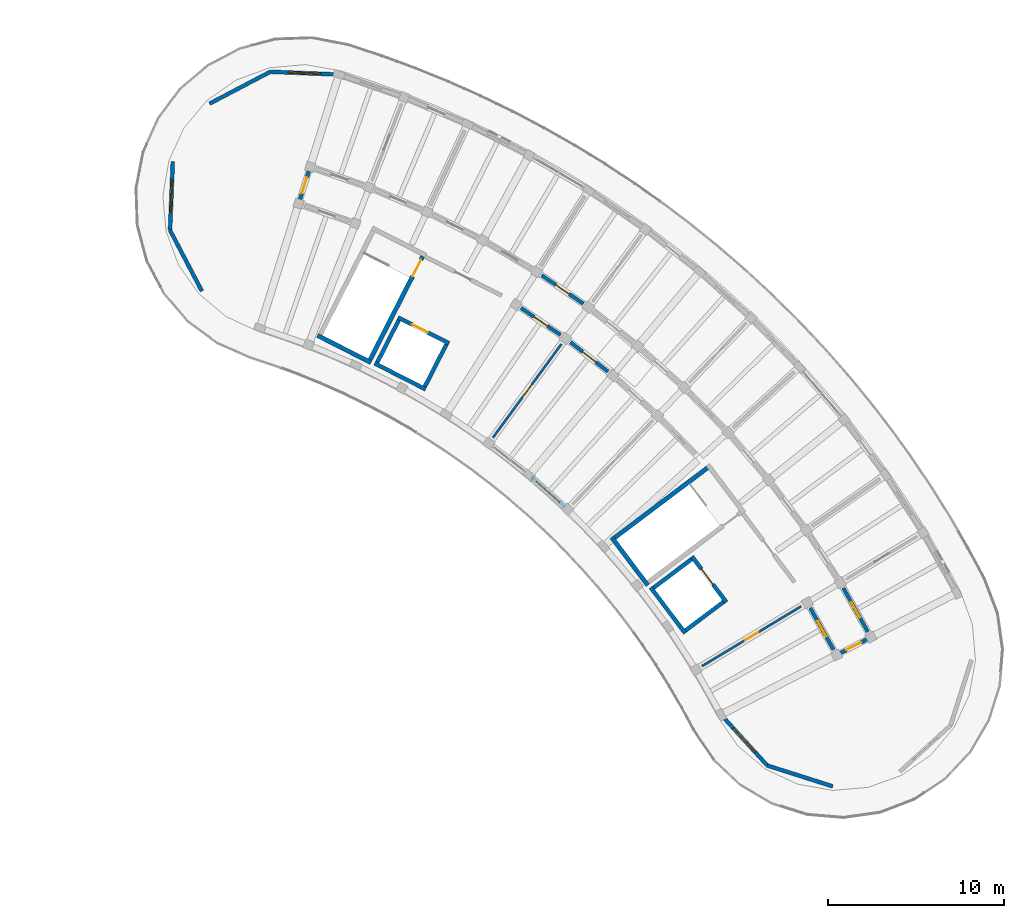
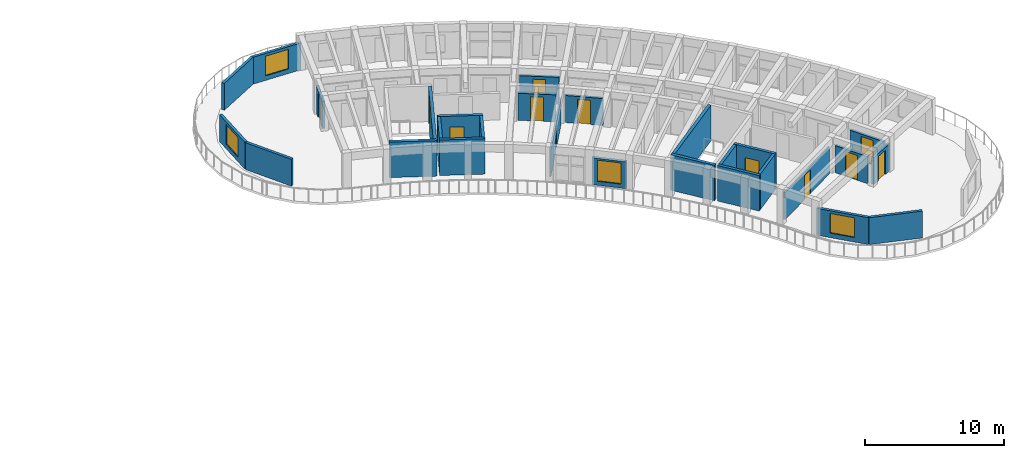
# One storey, part 22 of 32: 28 walls, 12 doors, 4 windows, 16 openings.
"""IFC4 building model written with IfcOpenShell, lengths in metres."""

from ifc_helpers import new_model, si_unit, direction, frame, frame_2d, origin, place, context, subcontext, project, spatial, rectangle, extrude, material, layer, layer_set, type_object, element, fill, save


model = new_model("IFC4")

# Units and contexts
model_context = context("Model", 3, precision=1e-05, world=origin(), true_north=direction((0.0, 1.0)))
body_context = subcontext(model_context, "Body", "Model", "MODEL_VIEW")
ifc_project = project(units=[si_unit("LENGTHUNIT", "METRE"), si_unit("AREAUNIT", "SQUARE_METRE"), si_unit("VOLUMEUNIT", "CUBIC_METRE"), si_unit("PLANEANGLEUNIT", "RADIAN"), si_unit("MASSUNIT", "GRAM", prefix="KILO")], contexts=[model_context])

# Site, building, storey
site_placement = place(None, origin())
site = spatial("IfcSite", under=ifc_project, at=site_placement, CompositionType="ELEMENT")
building_placement = place(site_placement, origin())
building = spatial("IfcBuilding", under=site, at=building_placement, Name="Tanwirah Colonnade Gardens", CompositionType="ELEMENT")
storey_placement = place(building_placement, frame((0.0, 0.0, 42.43994140625)))
storey = spatial("IfcBuildingStorey", under=building, at=storey_placement, Name="L12", CompositionType="ELEMENT", Elevation=42.43994140625)

# Wall, opening, window
ifc_material_1 = material(Name="Limestone architectural precast concrete C40/50", Category="masonry")
ifc_layer_1 = layer(ifc_material_1, 0.219970703125)
ifc_layer_set_1 = layer_set([ifc_layer_1], Name="Limestone architectural precast concrete C40/50")
wall_type_1 = type_object("IfcWallType", Name="EW-PC220", PredefinedType="SOLIDWALL", material=ifc_layer_set_1)
wall_1_placement = place(storey_placement, frame((151.58203125, 92.44775390625, 0.0), z_axis=(0.0, 0.0, 1.0), x_axis=(-0.744394463736, 0.667740130859, 0.0)))
wall_1 = element("IfcWall", 1, at=wall_1_placement, inside=storey, type_object=wall_type_1, Name="Block B L12 IN Precast Facade Wall 8", PredefinedType="SOLIDWALL", context=body_context, shape_type="SweptSolid", body=[
    extrude(rectangle(XDim=2.53515625, YDim=0.219970703125, at=frame_2d((1.267578125, 0.0))), origin(), (0.0, 0.0, 1.0), 2.35498046875),
])
opening_1_placement = place(wall_1_placement, frame((0.392578125, 0.0, 0.35009765625)))
opening_1 = element("IfcOpeningElement", 2, at=opening_1_placement, cuts=wall_1, Name="Opening WIN-T13", PredefinedType="OPENING", context=body_context, shape_type="SweptSolid", body=[
    extrude(rectangle(XDim=1.75, YDim=1.85009765625, at=frame_2d((0.875, 0.925048828125))), frame((0.0, 0.119873046875, 0.0), z_axis=(0.0, -1.0, 0.0), x_axis=(1.0, 0.0, 0.0)), (0.0, 0.0, 1.0), 0.239990234375),
])
ifc_material_2 = material(Name="Thermally broken bronze aluminium and solar low-E double glazing", Category="aluminium")
window_type_1 = type_object("IfcWindowType", Name="WIN-T13", PartitioningType="TRIPLE_PANEL_VERTICAL", PredefinedType="WINDOW", material=ifc_material_2)
window_1_placement = place(opening_1_placement, origin())
window_1 = element("IfcWindow", 3, at=window_1_placement, inside=storey, type_object=window_type_1, Name="Facade window B-L12-IN-08", OverallHeight=1.85009765625, OverallWidth=1.75, PartitioningType="SINGLE_PANEL", PredefinedType="WINDOW", context=body_context, shape_type="SweptSolid", body=[
    extrude(rectangle(XDim=1.75, YDim=1.85009765625, at=frame_2d((0.875, 0.925048828125))), frame((0.0, 0.030029296875, 0.0), z_axis=(0.0, -1.0, 0.0), x_axis=(1.0, 0.0, 0.0)), (0.0, 0.0, 1.0), 0.06005859375),
])
fill(opening_1, window_1)

# Wall
wall_2_placement = place(storey_placement, frame((166.843017578125, 76.534912109375, 0.0), z_axis=(0.0, 0.0, 1.0), x_axis=(-0.952839597628, 0.30347438309, 0.0)))
element("IfcWall", 4, at=wall_2_placement, inside=storey, type_object=wall_type_1, Name="Block B L12 START Rounded End Wall 4", PredefinedType="SOLIDWALL", context=body_context, shape_type="SweptSolid", body=[
    extrude(rectangle(XDim=3.908203125, YDim=0.219970703125, at=frame_2d((1.9541015625, 0.0))), origin(), (0.0, 0.0, 1.0), 2.35498046875),
])

# Wall, opening, window
wall_3_placement = place(storey_placement, frame((163.119140625, 77.720947265625, 0.0), z_axis=(0.0, 0.0, 1.0), x_axis=(-0.673483927886, 0.739201866123, 0.0)))
wall_3 = element("IfcWall", 5, at=wall_3_placement, inside=storey, type_object=wall_type_1, Name="Block B L12 START Rounded End Wall 5", PredefinedType="SOLIDWALL", context=body_context, shape_type="SweptSolid", body=[
    extrude(rectangle(XDim=3.908203125, YDim=0.219970703125, at=frame_2d((1.9541015625, 0.0))), origin(), (0.0, 0.0, 1.0), 2.35498046875),
])
opening_2_placement = place(wall_3_placement, frame((1.029052734375, 0.0, 0.39990234375)))
opening_2 = element("IfcOpeningElement", 6, at=opening_2_placement, cuts=wall_3, Name="Opening WIN-END1", PredefinedType="OPENING", context=body_context, shape_type="SweptSolid", body=[
    extrude(rectangle(XDim=1.85009765625, YDim=1.719970703125, at=frame_2d((0.925048828125, 0.85986328125))), frame((0.0, 0.119873046875, 0.0), z_axis=(0.0, -1.0, 0.0), x_axis=(1.0, 0.0, 0.0)), (0.0, 0.0, 1.0), 0.239990234375),
])
window_type_2 = type_object("IfcWindowType", Name="WIN-END1", PartitioningType="TRIPLE_PANEL_VERTICAL", PredefinedType="WINDOW", material=ifc_material_2)
window_2_placement = place(opening_2_placement, origin())
window_2 = element("IfcWindow", 7, at=window_2_placement, inside=storey, type_object=window_type_2, Name="Rounded corner window B-L12-START-5", OverallHeight=1.719970703125, OverallWidth=1.85009765625, PartitioningType="SINGLE_PANEL", PredefinedType="WINDOW", context=body_context, shape_type="SweptSolid", body=[
    extrude(rectangle(XDim=1.85009765625, YDim=1.719970703125, at=frame_2d((0.925048828125, 0.85986328125))), frame((0.0, 0.030029296875, 0.0), z_axis=(0.0, -1.0, 0.0), x_axis=(1.0, 0.0, 0.0)), (0.0, 0.0, 1.0), 0.06005859375),
])
fill(opening_2, window_2)

# Wall
wall_4_placement = place(storey_placement, frame((130.940673828125, 104.7216796875, 0.0), z_axis=(0.0, 0.0, 1.0), x_axis=(-0.464273080326, 0.885692106143, 0.0)))
element("IfcWall", 8, at=wall_4_placement, inside=storey, type_object=wall_type_1, Name="Block B L12 END Rounded End Wall 1", PredefinedType="SOLIDWALL", context=body_context, shape_type="SweptSolid", body=[
    extrude(rectangle(XDim=3.908203125, YDim=0.219970703125, at=frame_2d((1.9541015625, 0.0))), origin(), (0.0, 0.0, 1.0), 2.35498046875),
])

# Wall, opening, window
wall_5_placement = place(storey_placement, frame((129.126220703125, 108.18310546875, 0.0), z_axis=(0.0, 0.0, 1.0), x_axis=(0.040669088934, 0.999172670365, 0.0)))
wall_5 = element("IfcWall", 9, at=wall_5_placement, inside=storey, type_object=wall_type_1, Name="Block B L12 END Rounded End Wall 2", PredefinedType="SOLIDWALL", context=body_context, shape_type="SweptSolid", body=[
    extrude(rectangle(XDim=3.907958984375, YDim=0.219970703125, at=frame_2d((1.9541015625, 0.0))), origin(), (0.0, 0.0, 1.0), 2.35498046875),
])
opening_3_placement = place(wall_5_placement, frame((1.029052734375, 0.0, 0.39990234375)))
opening_3 = element("IfcOpeningElement", 10, at=opening_3_placement, cuts=wall_5, Name="Opening WIN-END1", PredefinedType="OPENING", context=body_context, shape_type="SweptSolid", body=[
    extrude(rectangle(XDim=1.85009765625, YDim=1.719970703125, at=frame_2d((0.925048828125, 0.85986328125))), frame((0.0, 0.119873046875, 0.0), z_axis=(0.0, -1.0, 0.0), x_axis=(1.0, 0.0, 0.0)), (0.0, 0.0, 1.0), 0.239990234375),
])
window_3_placement = place(opening_3_placement, origin())
window_3 = element("IfcWindow", 11, at=window_3_placement, inside=storey, type_object=window_type_2, Name="Rounded corner window B-L12-END-2", OverallHeight=1.719970703125, OverallWidth=1.85009765625, PartitioningType="SINGLE_PANEL", PredefinedType="WINDOW", context=body_context, shape_type="SweptSolid", body=[
    extrude(rectangle(XDim=1.85009765625, YDim=1.719970703125, at=frame_2d((0.925048828125, 0.85986328125))), frame((0.0, 0.030029296875, 0.0), z_axis=(0.0, -1.0, 0.0), x_axis=(1.0, 0.0, 0.0)), (0.0, 0.0, 1.0), 0.06005859375),
])
fill(opening_3, window_3)

# Wall
wall_6_placement = place(storey_placement, frame((131.37548828125, 115.39013671875, 0.0), z_axis=(0.0, 0.0, 1.0), x_axis=(0.8856664179, 0.464322082399, 0.0)))
element("IfcWall", 12, at=wall_6_placement, inside=storey, type_object=wall_type_1, Name="Block B L12 END Rounded End Wall 4", PredefinedType="SOLIDWALL", context=body_context, shape_type="SweptSolid", body=[
    extrude(rectangle(XDim=3.908203125, YDim=0.219970703125, at=frame_2d((1.9541015625, 0.0))), origin(), (0.0, 0.0, 1.0), 2.35498046875),
])

# Wall, opening, window
wall_7_placement = place(storey_placement, frame((134.8369140625, 117.204833984375, 0.0), z_axis=(0.0, 0.0, 1.0), x_axis=(0.99917012986, -0.040731457088, 0.0)))
wall_7 = element("IfcWall", 13, at=wall_7_placement, inside=storey, type_object=wall_type_1, Name="Block B L12 END Rounded End Wall 5", PredefinedType="SOLIDWALL", context=body_context, shape_type="SweptSolid", body=[
    extrude(rectangle(XDim=3.907958984375, YDim=0.219970703125, at=frame_2d((1.9541015625, 0.0))), origin(), (0.0, 0.0, 1.0), 2.35498046875),
])
opening_4_placement = place(wall_7_placement, frame((1.029052734375, 0.0, 0.39990234375)))
opening_4 = element("IfcOpeningElement", 14, at=opening_4_placement, cuts=wall_7, Name="Opening WIN-END1", PredefinedType="OPENING", context=body_context, shape_type="SweptSolid", body=[
    extrude(rectangle(XDim=1.85009765625, YDim=1.719970703125, at=frame_2d((0.925048828125, 0.85986328125))), frame((0.0, 0.119873046875, 0.0), z_axis=(0.0, -1.0, 0.0), x_axis=(1.0, 0.0, 0.0)), (0.0, 0.0, 1.0), 0.239990234375),
])
window_4_placement = place(opening_4_placement, origin())
window_4 = element("IfcWindow", 15, at=window_4_placement, inside=storey, type_object=window_type_2, Name="Rounded corner window B-L12-END-5", OverallHeight=1.719970703125, OverallWidth=1.85009765625, PartitioningType="SINGLE_PANEL", PredefinedType="WINDOW", context=body_context, shape_type="SweptSolid", body=[
    extrude(rectangle(XDim=1.85009765625, YDim=1.719970703125, at=frame_2d((0.925048828125, 0.85986328125))), frame((0.0, 0.030029296875, 0.0), z_axis=(0.0, -1.0, 0.0), x_axis=(1.0, 0.0, 0.0)), (0.0, 0.0, 1.0), 0.06005859375),
])
fill(opening_4, window_4)

# Wall, opening, door
ifc_material_3 = material(Name="Precast concrete C40/50", Category="concrete")
ifc_layer_2 = layer(ifc_material_3, 0.205078125)
ifc_layer_set_2 = layer_set([ifc_layer_2], Name="Precast concrete C40/50")
wall_type_2 = type_object("IfcWallType", Name="IW-CORR205", PredefinedType="PARTITIONING", material=ifc_layer_set_2)
wall_8_placement = place(storey_placement, frame((168.844482421875, 85.323486328125, 0.0), z_axis=(0.0, 0.0, 1.0), x_axis=(-0.48817487918, 0.872745832037, 0.0)))
wall_8 = element("IfcWall", 16, at=wall_8_placement, inside=storey, type_object=wall_type_2, Name="Block B L12 OUT Corridor Wall 3", PredefinedType="PARTITIONING", context=body_context, shape_type="SweptSolid", body=[
    extrude(rectangle(XDim=2.863037109375, YDim=0.205078125, at=frame_2d((1.431640625, 0.0))), origin(), (0.0, 0.0, 1.0), 2.3701171875),
])
opening_5_placement = place(wall_8_placement, frame((0.9365234375, 0.0, 0.0)))
opening_5 = element("IfcOpeningElement", 17, at=opening_5_placement, cuts=wall_8, Name="Opening L12-AD1252", PredefinedType="OPENING", context=body_context, shape_type="SweptSolid", body=[
    extrude(rectangle(XDim=0.989990234375, YDim=2.159912109375, at=frame_2d((0.4951171875, 1.080078125))), frame((0.0, 0.112548828125, 0.0), z_axis=(0.0, -1.0, 0.0), x_axis=(1.0, 0.0, 0.0)), (0.0, 0.0, 1.0), 0.22509765625),
])
ifc_material_4 = material(Name="Solid oak fire-resisting apartment entrance door")
door_type_1 = type_object("IfcDoorType", Name="ID-FLT099", OperationType="NOTDEFINED", PredefinedType="DOOR", material=ifc_material_4)
door_1_placement = place(opening_5_placement, origin())
door_1 = element("IfcDoor", 18, at=door_1_placement, inside=storey, type_object=door_type_1, Name="Apartment corridor door L12-AD1252", OperationType="SINGLE_SWING_RIGHT", OverallHeight=2.159912109375, OverallWidth=0.989990234375, PredefinedType="DOOR", context=body_context, shape_type="SweptSolid", body=[
    extrude(rectangle(XDim=0.989990234375, YDim=2.159912109375, at=frame_2d((0.4951171875, 1.080078125))), frame((0.0, 0.02490234375, 0.0), z_axis=(0.0, -1.0, 0.0), x_axis=(1.0, 0.0, 0.0)), (0.0, 0.0, 1.0), 0.050048828125),
])
fill(opening_5, door_1)

wall_9_placement = place(storey_placement, frame((166.89013671875, 84.313232421875, 0.0), z_axis=(0.0, 0.0, 1.0), x_axis=(-0.48819576874, 0.872734147025, 0.0)))
wall_9 = element("IfcWall", 19, at=wall_9_placement, inside=storey, type_object=wall_type_2, Name="Block B L12 IN Corridor Wall 3", PredefinedType="PARTITIONING", context=body_context, shape_type="SweptSolid", body=[
    extrude(rectangle(XDim=2.718017578125, YDim=0.205078125, at=frame_2d((1.35888671875, 0.0))), origin(), (0.0, 0.0, 1.0), 2.3701171875),
])
opening_6_placement = place(wall_9_placement, frame((0.864013671875, 0.0, 0.0)))
opening_6 = element("IfcOpeningElement", 20, at=opening_6_placement, cuts=wall_9, Name="Opening L12-AD1253", PredefinedType="OPENING", context=body_context, shape_type="SweptSolid", body=[
    extrude(rectangle(XDim=0.989990234375, YDim=2.159912109375, at=frame_2d((0.4951171875, 1.080078125))), frame((0.0, 0.112548828125, 0.0), z_axis=(0.0, -1.0, 0.0), x_axis=(1.0, 0.0, 0.0)), (0.0, 0.0, 1.0), 0.22509765625),
])
door_2_placement = place(opening_6_placement, origin())
door_2 = element("IfcDoor", 21, at=door_2_placement, inside=storey, type_object=door_type_1, Name="Apartment corridor door L12-AD1253", OperationType="SINGLE_SWING_LEFT", OverallHeight=2.159912109375, OverallWidth=0.989990234375, PredefinedType="DOOR", context=body_context, shape_type="SweptSolid", body=[
    extrude(rectangle(XDim=0.989990234375, YDim=2.159912109375, at=frame_2d((0.4951171875, 1.080078125))), frame((0.0, 0.02490234375, 0.0), z_axis=(0.0, -1.0, 0.0), x_axis=(1.0, 0.0, 0.0)), (0.0, 0.0, 1.0), 0.050048828125),
])
fill(opening_6, door_2)

wall_10_placement = place(storey_placement, frame((154.05322265625, 100.135498046875, 0.0), z_axis=(0.0, 0.0, 1.0), x_axis=(-0.786835457019, 0.617162833924, 0.0)))
wall_10 = element("IfcWall", 22, at=wall_10_placement, inside=storey, type_object=wall_type_2, Name="Block B L12 IN Corridor Wall 9", PredefinedType="PARTITIONING", context=body_context, shape_type="SweptSolid", body=[
    extrude(rectangle(XDim=2.718017578125, YDim=0.205078125, at=frame_2d((1.35888671875, 0.0))), origin(), (0.0, 0.0, 1.0), 2.3701171875),
])
opening_7_placement = place(wall_10_placement, frame((0.884033203125, 0.0, 0.0)))
opening_7 = element("IfcOpeningElement", 23, at=opening_7_placement, cuts=wall_10, Name="Opening L12-AD1266", PredefinedType="OPENING", context=body_context, shape_type="SweptSolid", body=[
    extrude(rectangle(XDim=0.949951171875, YDim=2.1298828125, at=frame_2d((0.47509765625, 1.06494140625))), frame((0.0, 0.112548828125, 0.0), z_axis=(0.0, -1.0, 0.0), x_axis=(1.0, 0.0, 0.0)), (0.0, 0.0, 1.0), 0.22509765625),
])
door_type_2 = type_object("IfcDoorType", Name="ID-FLT095", OperationType="NOTDEFINED", PredefinedType="DOOR", material=ifc_material_4)
door_3_placement = place(opening_7_placement, origin())
door_3 = element("IfcDoor", 24, at=door_3_placement, inside=storey, type_object=door_type_2, Name="Apartment corridor door L12-AD1266", OperationType="SINGLE_SWING_LEFT", OverallHeight=2.1298828125, OverallWidth=0.949951171875, PredefinedType="DOOR", context=body_context, shape_type="SweptSolid", body=[
    extrude(rectangle(XDim=0.949951171875, YDim=2.1298828125, at=frame_2d((0.47509765625, 1.06494140625))), frame((0.0, 0.02490234375, 0.0), z_axis=(0.0, -1.0, 0.0), x_axis=(1.0, 0.0, 0.0)), (0.0, 0.0, 1.0), 0.050048828125),
])
fill(opening_7, door_3)

wall_11_placement = place(storey_placement, frame((152.650146484375, 104.001220703125, 0.0), z_axis=(0.0, 0.0, 1.0), x_axis=(-0.825779671787, 0.563992848947, 0.0)))
wall_11 = element("IfcWall", 25, at=wall_11_placement, inside=storey, type_object=wall_type_2, Name="Block B L12 OUT Corridor Wall 10", PredefinedType="PARTITIONING", context=body_context, shape_type="SweptSolid", body=[
    extrude(rectangle(XDim=2.863037109375, YDim=0.205078125, at=frame_2d((1.431640625, 0.0))), origin(), (0.0, 0.0, 1.0), 2.3701171875),
])
opening_8_placement = place(wall_11_placement, frame((0.966552734375, 0.0, 0.0)))
opening_8 = element("IfcOpeningElement", 26, at=opening_8_placement, cuts=wall_11, Name="Opening L12-AD1269", PredefinedType="OPENING", context=body_context, shape_type="SweptSolid", body=[
    extrude(rectangle(XDim=0.929931640625, YDim=2.1201171875, at=frame_2d((0.46484375, 1.06005859375))), frame((0.0, 0.112548828125, 0.0), z_axis=(0.0, -1.0, 0.0), x_axis=(1.0, 0.0, 0.0)), (0.0, 0.0, 1.0), 0.22509765625),
])
door_type_3 = type_object("IfcDoorType", Name="ID-FLT093", OperationType="NOTDEFINED", PredefinedType="DOOR", material=ifc_material_4)
door_4_placement = place(opening_8_placement, origin())
door_4 = element("IfcDoor", 27, at=door_4_placement, inside=storey, type_object=door_type_3, Name="Apartment corridor door L12-AD1269", OperationType="SINGLE_SWING_LEFT", OverallHeight=2.1201171875, OverallWidth=0.929931640625, PredefinedType="DOOR", context=body_context, shape_type="SweptSolid", body=[
    extrude(rectangle(XDim=0.929931640625, YDim=2.1201171875, at=frame_2d((0.46484375, 1.06005859375))), frame((0.0, 0.02490234375, 0.0), z_axis=(0.0, -1.0, 0.0), x_axis=(1.0, 0.0, 0.0)), (0.0, 0.0, 1.0), 0.050048828125),
])
fill(opening_8, door_4)

wall_12_placement = place(storey_placement, frame((151.35009765625, 102.226318359375, 0.0), z_axis=(0.0, 0.0, 1.0), x_axis=(-0.825752009056, 0.56403334967, 0.0)))
wall_12 = element("IfcWall", 28, at=wall_12_placement, inside=storey, type_object=wall_type_2, Name="Block B L12 IN Corridor Wall 10", PredefinedType="PARTITIONING", context=body_context, shape_type="SweptSolid", body=[
    extrude(rectangle(XDim=2.71826171875, YDim=0.205078125, at=frame_2d((1.359130859375, 0.0))), origin(), (0.0, 0.0, 1.0), 2.3701171875),
])
opening_9_placement = place(wall_12_placement, frame((0.89404296875, 0.0, 0.0)))
opening_9 = element("IfcOpeningElement", 29, at=opening_9_placement, cuts=wall_12, Name="Opening L12-AD1270", PredefinedType="OPENING", context=body_context, shape_type="SweptSolid", body=[
    extrude(rectangle(XDim=0.929931640625, YDim=2.1201171875, at=frame_2d((0.46484375, 1.06005859375))), frame((0.0, 0.112548828125, 0.0), z_axis=(0.0, -1.0, 0.0), x_axis=(1.0, 0.0, 0.0)), (0.0, 0.0, 1.0), 0.22509765625),
])
door_5_placement = place(opening_9_placement, origin())
door_5 = element("IfcDoor", 30, at=door_5_placement, inside=storey, type_object=door_type_3, Name="Apartment corridor door L12-AD1270", OperationType="SINGLE_SWING_RIGHT", OverallHeight=2.1201171875, OverallWidth=0.929931640625, PredefinedType="DOOR", context=body_context, shape_type="SweptSolid", body=[
    extrude(rectangle(XDim=0.929931640625, YDim=2.1201171875, at=frame_2d((0.46484375, 1.06005859375))), frame((0.0, 0.02490234375, 0.0), z_axis=(0.0, -1.0, 0.0), x_axis=(1.0, 0.0, 0.0)), (0.0, 0.0, 1.0), 0.050048828125),
])
fill(opening_9, door_5)

wall_13_placement = place(storey_placement, frame((167.10546875, 84.03076171875, 0.0), z_axis=(0.0, 0.0, 1.0), x_axis=(0.888371375666, 0.459125580749, 0.0)))
wall_13 = element("IfcWall", 31, at=wall_13_placement, inside=storey, type_object=wall_type_2, Name="Block B L12 CS Corner Suite Corridor Wall", PredefinedType="PARTITIONING", context=body_context, shape_type="SweptSolid", body=[
    extrude(rectangle(XDim=2.099853515625, YDim=0.205078125, at=frame_2d((1.0498046875, 0.0))), origin(), (0.0, 0.0, 1.0), 2.3701171875),
])
opening_10_placement = place(wall_13_placement, frame((0.570068359375, 0.0, 0.0)))
opening_10 = element("IfcOpeningElement", 32, at=opening_10_placement, cuts=wall_13, Name="Opening L12-CD1277", PredefinedType="OPENING", context=body_context, shape_type="SweptSolid", body=[
    extrude(rectangle(XDim=0.949951171875, YDim=2.1298828125, at=frame_2d((0.47509765625, 1.06494140625))), frame((0.0, 0.112548828125, 0.0), z_axis=(0.0, -1.0, 0.0), x_axis=(1.0, 0.0, 0.0)), (0.0, 0.0, 1.0), 0.22509765625),
])
door_6_placement = place(opening_10_placement, origin())
door_6 = element("IfcDoor", 33, at=door_6_placement, inside=storey, type_object=door_type_2, Name="Corner suite entrance door L12-CD1277", OperationType="SINGLE_SWING_LEFT", OverallHeight=2.1298828125, OverallWidth=0.949951171875, PredefinedType="DOOR", context=body_context, shape_type="SweptSolid", body=[
    extrude(rectangle(XDim=0.949951171875, YDim=2.1298828125, at=frame_2d((0.47509765625, 1.06494140625))), frame((0.0, 0.02490234375, 0.0), z_axis=(0.0, -1.0, 0.0), x_axis=(1.0, 0.0, 0.0)), (0.0, 0.0, 1.0), 0.050048828125),
])
fill(opening_10, door_6)

wall_14_placement = place(storey_placement, frame((136.462646484375, 109.7431640625, 0.0), z_axis=(0.0, 0.0, 1.0), x_axis=(0.297857918398, 0.954610213882, 0.0)))
wall_14 = element("IfcWall", 34, at=wall_14_placement, inside=storey, type_object=wall_type_2, Name="Block B L12 CE Corner Suite Corridor Wall", PredefinedType="PARTITIONING", context=body_context, shape_type="SweptSolid", body=[
    extrude(rectangle(XDim=2.099853515625, YDim=0.205078125, at=frame_2d((1.0498046875, 0.0))), origin(), (0.0, 0.0, 1.0), 2.3701171875),
])
opening_11_placement = place(wall_14_placement, frame((0.570068359375, 0.0, 0.0)))
opening_11 = element("IfcOpeningElement", 35, at=opening_11_placement, cuts=wall_14, Name="Opening L12-CD1278", PredefinedType="OPENING", context=body_context, shape_type="SweptSolid", body=[
    extrude(rectangle(XDim=0.949951171875, YDim=2.1298828125, at=frame_2d((0.47509765625, 1.06494140625))), frame((0.0, 0.112548828125, 0.0), z_axis=(0.0, -1.0, 0.0), x_axis=(1.0, 0.0, 0.0)), (0.0, 0.0, 1.0), 0.22509765625),
])
door_7_placement = place(opening_11_placement, origin())
door_7 = element("IfcDoor", 36, at=door_7_placement, inside=storey, type_object=door_type_2, Name="Corner suite entrance door L12-CD1278", OperationType="SINGLE_SWING_RIGHT", OverallHeight=2.1298828125, OverallWidth=0.949951171875, PredefinedType="DOOR", context=body_context, shape_type="SweptSolid", body=[
    extrude(rectangle(XDim=0.949951171875, YDim=2.1298828125, at=frame_2d((0.47509765625, 1.06494140625))), frame((0.0, 0.02490234375, 0.0), z_axis=(0.0, -1.0, 0.0), x_axis=(1.0, 0.0, 0.0)), (0.0, 0.0, 1.0), 0.050048828125),
])
fill(opening_11, door_7)

ifc_material_5 = material(Name="Moisture-resistant gypsum stud partition")
ifc_layer_3 = layer(ifc_material_5, 0.125)
ifc_layer_set_3 = layer_set([ifc_layer_3], Name="Moisture-resistant gypsum stud partition")
wall_type_3 = type_object("IfcWallType", Name="IW-INT125", PredefinedType="PARTITIONING", material=ifc_layer_set_3)
wall_15_placement = place(storey_placement, frame((159.399169921875, 83.3740234375, 0.0), z_axis=(0.0, 0.0, 1.0), x_axis=(0.85616819337, 0.516697227263, 0.0)))
wall_15 = element("IfcWall", 37, at=wall_15_placement, inside=storey, type_object=wall_type_3, Name="Block B L12 Inner Radial Partition 3", PredefinedType="PARTITIONING", context=body_context, shape_type="SweptSolid", body=[
    extrude(rectangle(XDim=6.599853515625, YDim=0.125, at=frame_2d((3.2998046875, 0.0))), origin(), (0.0, 0.0, 1.0), 2.3701171875),
])
opening_12_placement = place(wall_15_placement, frame((2.85498046875, 0.0, 0.0)))
opening_12 = element("IfcOpeningElement", 38, at=opening_12_placement, cuts=wall_15, Name="Opening L12-RD1255", PredefinedType="OPENING", context=body_context, shape_type="SweptSolid", body=[
    extrude(rectangle(XDim=0.889892578125, YDim=2.10009765625, at=frame_2d((0.44482421875, 1.050048828125))), frame((0.0, 0.072509765625, 0.0), z_axis=(0.0, -1.0, 0.0), x_axis=(1.0, 0.0, 0.0)), (0.0, 0.0, 1.0), 0.14501953125),
])
ifc_material_6 = material(Name="Painted hardwood bedroom door", Category="wood")
door_type_4 = type_object("IfcDoorType", Name="ID-RM089", OperationType="NOTDEFINED", PredefinedType="DOOR", material=ifc_material_6)
door_8_placement = place(opening_12_placement, origin())
door_8 = element("IfcDoor", 39, at=door_8_placement, inside=storey, type_object=door_type_4, Name="Internal apartment door L12-RD1255", OperationType="SINGLE_SWING_LEFT", OverallHeight=2.10009765625, OverallWidth=0.889892578125, PredefinedType="DOOR", context=body_context, shape_type="SweptSolid", body=[
    extrude(rectangle(XDim=0.889892578125, YDim=2.10009765625, at=frame_2d((0.44482421875, 1.050048828125))), frame((0.0, 0.02490234375, 0.0), z_axis=(0.0, -1.0, 0.0), x_axis=(1.0, 0.0, 0.0)), (0.0, 0.0, 1.0), 0.050048828125),
])
fill(opening_12, door_8)

wall_16_placement = place(storey_placement, frame((147.502685546875, 96.3818359375, 0.0), z_axis=(0.0, 0.0, 1.0), x_axis=(0.590924179316, 0.806727100263, 0.0)))
wall_16 = element("IfcWall", 40, at=wall_16_placement, inside=storey, type_object=wall_type_3, Name="Block B L12 Inner Radial Partition 9", PredefinedType="PARTITIONING", context=body_context, shape_type="SweptSolid", body=[
    extrude(rectangle(XDim=6.60009765625, YDim=0.125, at=frame_2d((3.300048828125, 0.0))), origin(), (0.0, 0.0, 1.0), 2.3701171875),
])
opening_13_placement = place(wall_16_placement, frame((2.85498046875, 0.0, 0.0)))
opening_13 = element("IfcOpeningElement", 41, at=opening_13_placement, cuts=wall_16, Name="Opening L12-RD1268", PredefinedType="OPENING", context=body_context, shape_type="SweptSolid", body=[
    extrude(rectangle(XDim=0.889892578125, YDim=2.10009765625, at=frame_2d((0.44482421875, 1.050048828125))), frame((0.0, 0.072509765625, 0.0), z_axis=(0.0, -1.0, 0.0), x_axis=(1.0, 0.0, 0.0)), (0.0, 0.0, 1.0), 0.14501953125),
])
door_9_placement = place(opening_13_placement, origin())
door_9 = element("IfcDoor", 42, at=door_9_placement, inside=storey, type_object=door_type_4, Name="Internal apartment door L12-RD1268", OperationType="SINGLE_SWING_LEFT", OverallHeight=2.10009765625, OverallWidth=0.889892578125, PredefinedType="DOOR", context=body_context, shape_type="SweptSolid", body=[
    extrude(rectangle(XDim=0.889892578125, YDim=2.10009765625, at=frame_2d((0.44482421875, 1.050048828125))), frame((0.0, 0.02490234375, 0.0), z_axis=(0.0, -1.0, 0.0), x_axis=(1.0, 0.0, 0.0)), (0.0, 0.0, 1.0), 0.050048828125),
])
fill(opening_13, door_9)

# Walls
ifc_material_7 = material(Name="Concrete C45/55", Category="concrete")
ifc_layer_4 = layer(ifc_material_7, 0.25)
ifc_layer_set_4 = layer_set([ifc_layer_4], Name="Concrete C45/55")
wall_type_4 = type_object("IfcWallType", Name="SW-CORE250", PredefinedType="SHEAR", material=ifc_layer_set_4)
wall_17_placement = place(storey_placement, frame((159.706787109375, 94.657958984375, 0.0), z_axis=(0.0, 0.0, 1.0), x_axis=(-0.798639633744, -0.601809550782, 0.0)))
element("IfcWall", 43, at=wall_17_placement, inside=storey, type_object=wall_type_4, Name="CORE-B1 L12 Stair Shaft Shear Wall LEFT", PredefinedType="SHEAR", context=body_context, shape_type="SweptSolid", body=[
    extrude(rectangle(XDim=6.599853515625, YDim=0.25, at=frame_2d((3.2998046875, 0.0))), origin(), (0.0, 0.0, 1.0), 3.110107421875),
])
for number, where, z_axis, x_axis, name in (
    (44, (154.2607421875, 90.710693359375, 0.0), (0.0, 0.0, 1.0), (0.601825826579, -0.798627368967, 0.0), "CORE-B1 L12 Stair Shaft Shear Wall FAR"),
    (45, (137.51953125, 102.203369140625, 0.0), (0.0, 0.0, 1.0), (0.891003540237, -0.453996356025, 0.0), "CORE-B2 L12 Stair Shaft Shear Wall FAR"),
):
    element("IfcWall", number, at=place(storey_placement, frame(where, z_axis=z_axis, x_axis=x_axis)), inside=storey, type_object=wall_type_4, Name=name, PredefinedType="SHEAR", context=body_context, shape_type="SweptSolid", body=[
        extrude(rectangle(XDim=3.420166015625, YDim=0.25, at=frame_2d((1.7099609375, 0.0))), origin(), (0.0, 0.0, 1.0), 3.110107421875),
    ])

# Wall, opening, door
wall_18_placement = place(storey_placement, frame((143.508544921875, 106.699462890625, 0.0), z_axis=(0.0, 0.0, 1.0), x_axis=(-0.453992276384, -0.891005618941, 0.0)))
wall_18 = element("IfcWall", 46, at=wall_18_placement, inside=storey, type_object=wall_type_4, Name="CORE-B2 L12 Stair Shaft Shear Wall RIGHT", PredefinedType="SHEAR", context=body_context, shape_type="SweptSolid", body=[
    extrude(rectangle(XDim=6.599853515625, YDim=0.25, at=frame_2d((3.2998046875, 0.0))), origin(), (0.0, 0.0, 1.0), 3.110107421875),
])
opening_14_placement = place(wall_18_placement, frame((0.219970703125, 0.0, 0.0)))
opening_14 = element("IfcOpeningElement", 47, at=opening_14_placement, cuts=wall_18, Name="Opening L12-SD106", PredefinedType="OPENING", context=body_context, shape_type="SweptSolid", body=[
    extrude(rectangle(XDim=1.050048828125, YDim=2.14990234375, at=frame_2d((0.52490234375, 1.074951171875))), frame((0.0, 0.135009765625, 0.0), z_axis=(0.0, -1.0, 0.0), x_axis=(1.0, 0.0, 0.0)), (0.0, 0.0, 1.0), 0.27001953125),
])
ifc_material_8 = material(Name="Steel fire-resisting stair enclosure door", Category="steel")
door_type_5 = type_object("IfcDoorType", Name="ID-ST105", OperationType="NOTDEFINED", PredefinedType="DOOR", material=ifc_material_8)
door_10_placement = place(opening_14_placement, origin())
door_10 = element("IfcDoor", 48, at=door_10_placement, inside=storey, type_object=door_type_5, Name="CORE-B2 L12 Stair Fire Door L12-SD106", OperationType="SINGLE_SWING_LEFT", OverallHeight=2.14990234375, OverallWidth=1.050048828125, PredefinedType="DOOR", context=body_context, shape_type="SweptSolid", body=[
    extrude(rectangle(XDim=1.050048828125, YDim=2.14990234375, at=frame_2d((0.52490234375, 1.074951171875))), frame((0.0, 0.02490234375, 0.0), z_axis=(0.0, -1.0, 0.0), x_axis=(1.0, 0.0, 0.0)), (0.0, 0.0, 1.0), 0.050048828125),
])
fill(opening_14, door_10)

ifc_layer_5 = layer(ifc_material_7, 0.22998046875)
ifc_layer_set_5 = layer_set([ifc_layer_5], Name="Concrete C45/55")
wall_type_5 = type_object("IfcWallType", Name="SW-LIFT230", PredefinedType="SHEAR", material=ifc_layer_set_5)
wall_19_placement = place(storey_placement, frame((158.827392578125, 89.618896484375, 0.0), z_axis=(0.0, 0.0, 1.0), x_axis=(0.601819781152, -0.798631924615, 0.0)))
wall_19 = element("IfcWall", 49, at=wall_19_placement, inside=storey, type_object=wall_type_5, Name="CORE-B1 L12 Lift Shaft Wall FRONT", PredefinedType="SHEAR", context=body_context, shape_type="SweptSolid", body=[
    extrude(rectangle(XDim=3.260009765625, YDim=0.22998046875, at=frame_2d((1.6298828125, 0.0))), origin(), (0.0, 0.0, 1.0), 3.110107421875),
])
opening_15_placement = place(wall_19_placement, frame((0.89990234375, 0.0, 0.0)))
opening_15 = element("IfcOpeningElement", 50, at=opening_15_placement, cuts=wall_19, Name="Opening L12-LD-FL-B1", PredefinedType="OPENING", context=body_context, shape_type="SweptSolid", body=[
    extrude(rectangle(XDim=1.10009765625, YDim=2.14990234375, at=frame_2d((0.550048828125, 1.074951171875))), frame((0.0, 0.125, 0.0), z_axis=(0.0, -1.0, 0.0), x_axis=(1.0, 0.0, 0.0)), (0.0, 0.0, 1.0), 0.25),
])
ifc_material_9 = material(Name="Stainless steel sliding fire lift landing door", Category="steel")
door_type_6 = type_object("IfcDoorType", Name="LD-FF11", OperationType="DOUBLE_DOOR_SLIDING", PredefinedType="DOOR", material=ifc_material_9)
door_11_placement = place(opening_15_placement, origin())
door_11 = element("IfcDoor", 51, at=door_11_placement, inside=storey, type_object=door_type_6, Name="Lift FL-B1 L12 Sliding Landing Door", OperationType="DOUBLE_DOOR_SLIDING", OverallHeight=2.14990234375, OverallWidth=1.10009765625, PredefinedType="DOOR", context=body_context, shape_type="SweptSolid", body=[
    extrude(rectangle(XDim=1.10009765625, YDim=2.14990234375, at=frame_2d((0.550048828125, 1.074951171875))), frame((0.0, 0.02490234375, 0.0), z_axis=(0.0, -1.0, 0.0), x_axis=(1.0, 0.0, 0.0)), (0.0, 0.0, 1.0), 0.050048828125),
])
fill(opening_15, door_11)

# Walls
wall_20_placement = place(storey_placement, frame((156.4873046875, 87.855712890625, 0.0), z_axis=(0.0, 0.0, 1.0), x_axis=(0.601819781152, -0.798631924615, 0.0)))
element("IfcWall", 52, at=wall_20_placement, inside=storey, type_object=wall_type_5, Name="CORE-B1 L12 Lift Shaft Wall BACK", PredefinedType="SHEAR", context=body_context, shape_type="SweptSolid", body=[
    extrude(rectangle(XDim=3.260009765625, YDim=0.22998046875, at=frame_2d((1.6298828125, 0.0))), origin(), (0.0, 0.0, 1.0), 3.110107421875),
])
for number, where, z_axis, x_axis, name in (
    (53, (158.8046875, 89.4580078125, 0.0), (0.0, 0.0, 1.0), (-0.798608971494, -0.601850239387, 0.0), "CORE-B1 L12 Lift Shaft Wall SIDEA"),
    (54, (160.628173828125, 87.0380859375, 0.0), (0.0, 0.0, 1.0), (-0.798608971494, -0.601850239387, 0.0), "CORE-B1 L12 Lift Shaft Wall SIDEB"),
):
    element("IfcWall", number, at=place(storey_placement, frame(where, z_axis=z_axis, x_axis=x_axis)), inside=storey, type_object=wall_type_5, Name=name, PredefinedType="SHEAR", context=body_context, shape_type="SweptSolid", body=[
        extrude(rectangle(XDim=2.699951171875, YDim=0.22998046875, at=frame_2d((1.35009765625, 0.0))), origin(), (0.0, 0.0, 1.0), 3.110107421875),
    ])

# Wall, opening, door
wall_21_placement = place(storey_placement, frame((142.1025390625, 103.223876953125, 0.0), z_axis=(0.0, 0.0, 1.0), x_axis=(0.891001200497, -0.454000947921, 0.0)))
wall_21 = element("IfcWall", 55, at=wall_21_placement, inside=storey, type_object=wall_type_5, Name="CORE-B2 L12 Lift Shaft Wall FRONT", PredefinedType="SHEAR", context=body_context, shape_type="SweptSolid", body=[
    extrude(rectangle(XDim=3.259765625, YDim=0.22998046875, at=frame_2d((1.6298828125, 0.0))), origin(), (0.0, 0.0, 1.0), 3.110107421875),
])
opening_16_placement = place(wall_21_placement, frame((0.89990234375, 0.0, 0.0)))
opening_16 = element("IfcOpeningElement", 56, at=opening_16_placement, cuts=wall_21, Name="Opening L12-LD-PL-B2", PredefinedType="OPENING", context=body_context, shape_type="SweptSolid", body=[
    extrude(rectangle(XDim=1.0, YDim=2.14990234375, at=frame_2d((0.5, 1.074951171875))), frame((0.0, 0.125, 0.0), z_axis=(0.0, -1.0, 0.0), x_axis=(1.0, 0.0, 0.0)), (0.0, 0.0, 1.0), 0.25),
])
ifc_material_10 = material(Name="Bronze stainless steel sliding lift landing door", Category="steel")
door_type_7 = type_object("IfcDoorType", Name="LD-PS10", OperationType="DOUBLE_DOOR_SLIDING", PredefinedType="DOOR", material=ifc_material_10)
door_12_placement = place(opening_16_placement, origin())
door_12 = element("IfcDoor", 57, at=door_12_placement, inside=storey, type_object=door_type_7, Name="Lift PL-B2 L12 Sliding Landing Door", OperationType="DOUBLE_DOOR_SLIDING", OverallHeight=2.14990234375, OverallWidth=1.0, PredefinedType="DOOR", context=body_context, shape_type="SweptSolid", body=[
    extrude(rectangle(XDim=1.0, YDim=2.14990234375, at=frame_2d((0.5, 1.074951171875))), frame((0.0, 0.02490234375, 0.0), z_axis=(0.0, -1.0, 0.0), x_axis=(1.0, 0.0, 0.0)), (0.0, 0.0, 1.0), 0.050048828125),
])
fill(opening_16, door_12)

# Walls
wall_22_placement = place(storey_placement, frame((140.772216796875, 100.61328125, 0.0), z_axis=(0.0, 0.0, 1.0), x_axis=(0.891016635648, -0.453970654337, 0.0)))
element("IfcWall", 58, at=wall_22_placement, inside=storey, type_object=wall_type_5, Name="CORE-B2 L12 Lift Shaft Wall BACK", PredefinedType="SHEAR", context=body_context, shape_type="SweptSolid", body=[
    extrude(rectangle(XDim=3.260009765625, YDim=0.22998046875, at=frame_2d((1.6298828125, 0.0))), origin(), (0.0, 0.0, 1.0), 3.110107421875),
])
for number, where, z_axis, x_axis, name in (
    (59, (142.15283203125, 103.0693359375, 0.0), (0.0, 0.0, 1.0), (-0.454000278178, -0.891001541758, 0.0), "CORE-B2 L12 Lift Shaft Wall SIDEA"),
    (60, (144.8525390625, 101.693603515625, 0.0), (0.0, 0.0, 1.0), (-0.454036857101, -0.890982902414, 0.0), "CORE-B2 L12 Lift Shaft Wall SIDEB"),
):
    element("IfcWall", number, at=place(storey_placement, frame(where, z_axis=z_axis, x_axis=x_axis)), inside=storey, type_object=wall_type_5, Name=name, PredefinedType="SHEAR", context=body_context, shape_type="SweptSolid", body=[
        extrude(rectangle(XDim=2.699951171875, YDim=0.22998046875, at=frame_2d((1.35009765625, 0.0))), origin(), (0.0, 0.0, 1.0), 3.110107421875),
    ])

save(model, "model.ifc")
